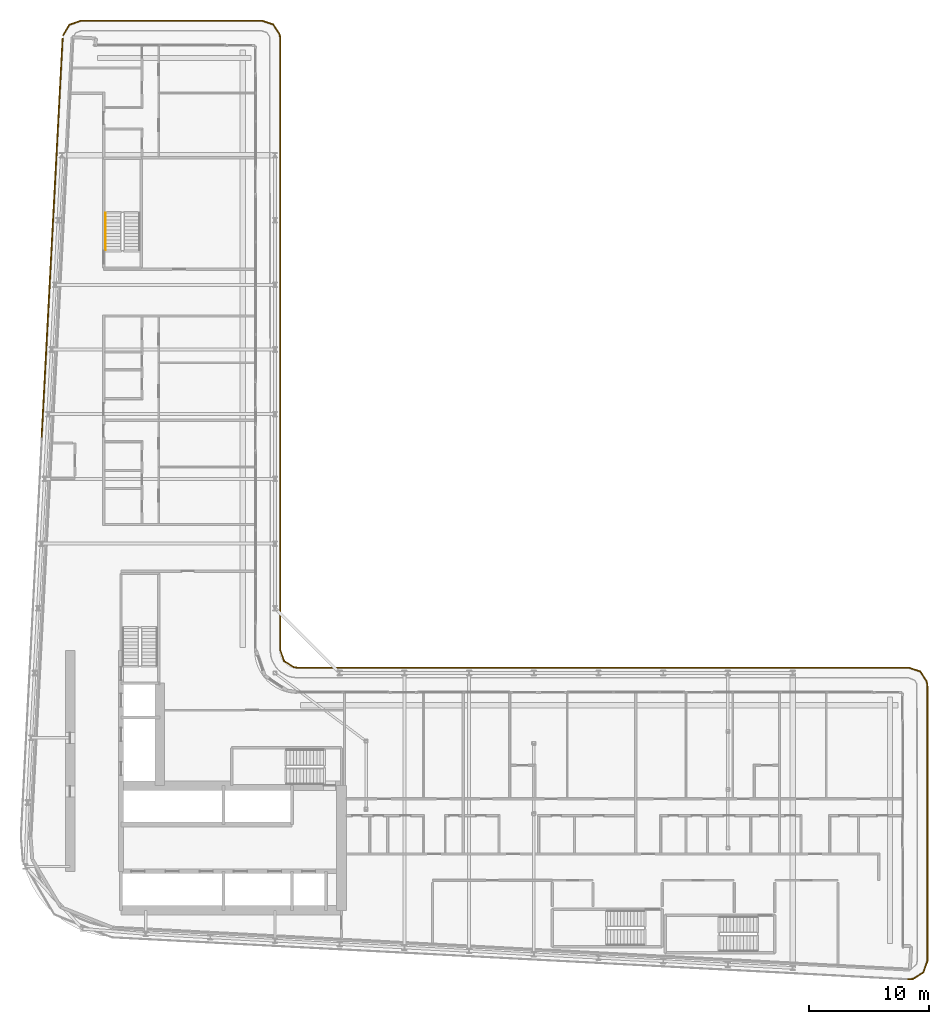
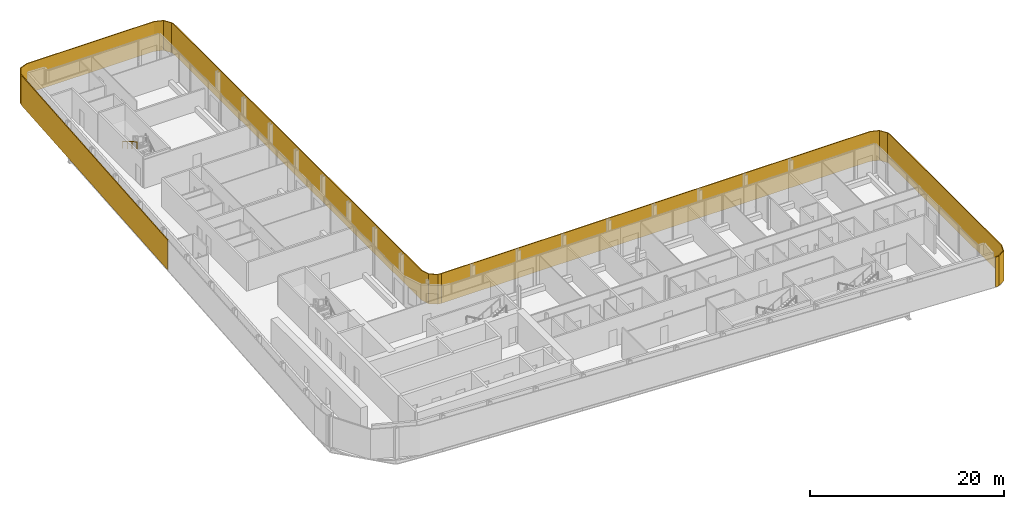
# One storey, part 27 of 29: 3 shading devices, 1 railing.
"""IFC4 building model written with IfcOpenShell, lengths in metres."""

from ifc_helpers import new_model, si_unit, direction, frame, origin, origin_2d, place, context, subcontext, project, spatial, polyline, rectangle, circle, outline, extrude, material, layer, layer_set, type_object, element, save


model = new_model("IFC4")

# Units and contexts
model_context = context("Model", 3, precision=1e-05, world=origin(), true_north=direction((0.0, 1.0)))
body_context = subcontext(model_context, "Body", "Model", "MODEL_VIEW")
ifc_project = project(units=[si_unit("LENGTHUNIT", "METRE"), si_unit("AREAUNIT", "SQUARE_METRE"), si_unit("VOLUMEUNIT", "CUBIC_METRE"), si_unit("PLANEANGLEUNIT", "RADIAN"), si_unit("MASSUNIT", "GRAM", prefix="KILO")], contexts=[model_context])

# Site, building, storey
site_placement = place(None, origin())
site = spatial("IfcSite", under=ifc_project, at=site_placement, CompositionType="ELEMENT")
building_placement = place(site_placement, origin())
building = spatial("IfcBuilding", under=site, at=building_placement, Name="Kheshtan School and Residences Tower", CompositionType="ELEMENT")
storey_placement = place(building_placement, frame((0.0, 0.0, 176.0)))
storey = spatial("IfcBuildingStorey", under=building, at=storey_placement, Name="L41", CompositionType="ELEMENT", Elevation=176.0)

# Shading devices
ifc_material_1 = material(Name="Terracotta baguette, extruded ceramic", Category="masonry")
ifc_layer_1 = layer(ifc_material_1, 0.10009765625)
ifc_layer_set_1 = layer_set([ifc_layer_1], Name="Ledge screen, terracotta baguettes")
shading_device_type_1 = type_object("IfcShadingDeviceType", Name="Ledge screen, terracotta baguettes", PredefinedType="USERDEFINED", material=ifc_layer_set_1)
shading_device_1_placement = place(storey_placement, frame((28.9990234375, 81.93408203125, 0.0), z_axis=(0.0, 0.0, 1.0), x_axis=(0.052562536748, 0.998617634398, 0.0)))
element("IfcShadingDevice", 1, at=shading_device_1_placement, inside=storey, type_object=shading_device_type_1, Name="Screen L41 5", ObjectType="BAGUETTE", PredefinedType="USERDEFINED", context=body_context, shape_type="SweptSolid", body=[
    extrude(rectangle(XDim=33.341064453125, YDim=0.10009765625, at=origin_2d()), origin(), (0.0, 0.0, 1.0), 3.75),
])
ifc_material_2 = material(Name="Terracotta lattice, extruded ceramic", Category="masonry")
ifc_layer_2 = layer(ifc_material_2, 0.10009765625)
ifc_layer_set_2 = layer_set([ifc_layer_2], Name="Loggia screen, terracotta lattice")
shading_device_type_2 = type_object("IfcShadingDeviceType", Name="Loggia screen, terracotta lattice", PredefinedType="USERDEFINED", material=ifc_layer_set_2)
shading_device_2_placement = place(storey_placement, origin())
element("IfcShadingDevice", 2, at=shading_device_2_placement, inside=storey, type_object=shading_device_type_2, Name="Screen L41 1", ObjectType="SCREEN", PredefinedType="USERDEFINED", context=body_context, shape_type="SweptSolid", body=[
    extrude(outline(polyline([(29.949951171875, 98.783935546875), (30.468017578125, 99.656982421875), (31.423095703125, 100.0), (46.5, 100.0), (47.4130859375, 99.68994140625), (47.948974609375, 98.887939453125), (48.0, 98.5), (48.0, 47.5), (48.31005859375, 46.5869140625), (49.112060546875, 46.051025390625), (49.5, 46.0), (49.512939453125, 46.09912109375), (49.14794921875, 46.14697265625), (48.39404296875, 46.65087890625), (48.10009765625, 47.51708984375), (48.10009765625, 98.507080078125), (48.044921875, 98.924072265625), (47.47705078125, 99.77392578125), (46.51708984375, 100.10009765625), (31.406005859375, 100.10009765625), (30.39990234375, 99.739013671875), (29.864013671875, 98.8349609375), (29.949951171875, 98.783935546875)])), origin(), (0.0, 0.0, 1.0), 3.75),
])
shading_device_3_placement = place(storey_placement, origin())
element("IfcShadingDevice", 3, at=shading_device_3_placement, inside=storey, type_object=shading_device_type_2, Name="Screen L41 2", ObjectType="SCREEN", PredefinedType="USERDEFINED", context=body_context, shape_type="SweptSolid", body=[
    extrude(outline(polyline([(49.5, 46.0), (100.5, 46.0), (101.4130859375, 45.68994140625), (101.948974609375, 44.887939453125), (102.0, 44.5), (102.0, 21.5810546875), (101.669921875, 20.64208984375), (100.823974609375, 20.116943359375), (100.4208984375, 20.0830078125), (100.428955078125, 19.98291015625), (100.85595703125, 20.01904296875), (101.7529296875, 20.575927734375), (102.10009765625, 21.56396484375), (102.10009765625, 44.507080078125), (102.044921875, 44.924072265625), (101.47705078125, 45.77392578125), (100.51708984375, 46.10009765625), (49.5, 46.10009765625), (49.5, 46.0)])), origin(), (0.0, 0.0, 1.0), 3.75),
])

# Railing
ifc_material_3 = material(Name="Stainless steel handrail", Category="steel")
railing_type = type_object("IfcRailingType", Name="Stair handrail 900", PredefinedType="HANDRAIL", material=ifc_material_3)
railing_placement = place(storey_placement, frame((33.449951171875, 83.97998046875, 2.112548828125)))
element("IfcRailing", 4, at=railing_placement, inside=storey, type_object=railing_type, Name="L41 ST3 stair handrail 2", PredefinedType="HANDRAIL", context=body_context, shape_type="SweptSolid", body=[
    extrude(circle(Radius=0.02392578125, at=origin_2d()), frame((0.0, 0.0, 0.8759765625), z_axis=(0.0, -0.864920483161, 0.501908913857), x_axis=(1.0, 0.0, 0.0)), (0.0, 0.0, 1.0), 3.56103515625),
    extrude(circle(Radius=0.02099609375, at=origin_2d()), origin(), (0.0, 0.0, 1.0), 0.851806640625),
    extrude(circle(Radius=0.02099609375, at=origin_2d()), frame((0.0, -1.026611328125, 0.595703125)), (0.0, 0.0, 1.0), 0.851806640625),
    extrude(circle(Radius=0.02099609375, at=origin_2d()), frame((0.0, -2.053466796875, 1.191650390625)), (0.0, 0.0, 1.0), 0.851806640625),
    extrude(circle(Radius=0.02099609375, at=origin_2d()), frame((0.0, -3.080078125, 1.787353515625)), (0.0, 0.0, 1.0), 0.851806640625),
])

save(model, "model.ifc")
